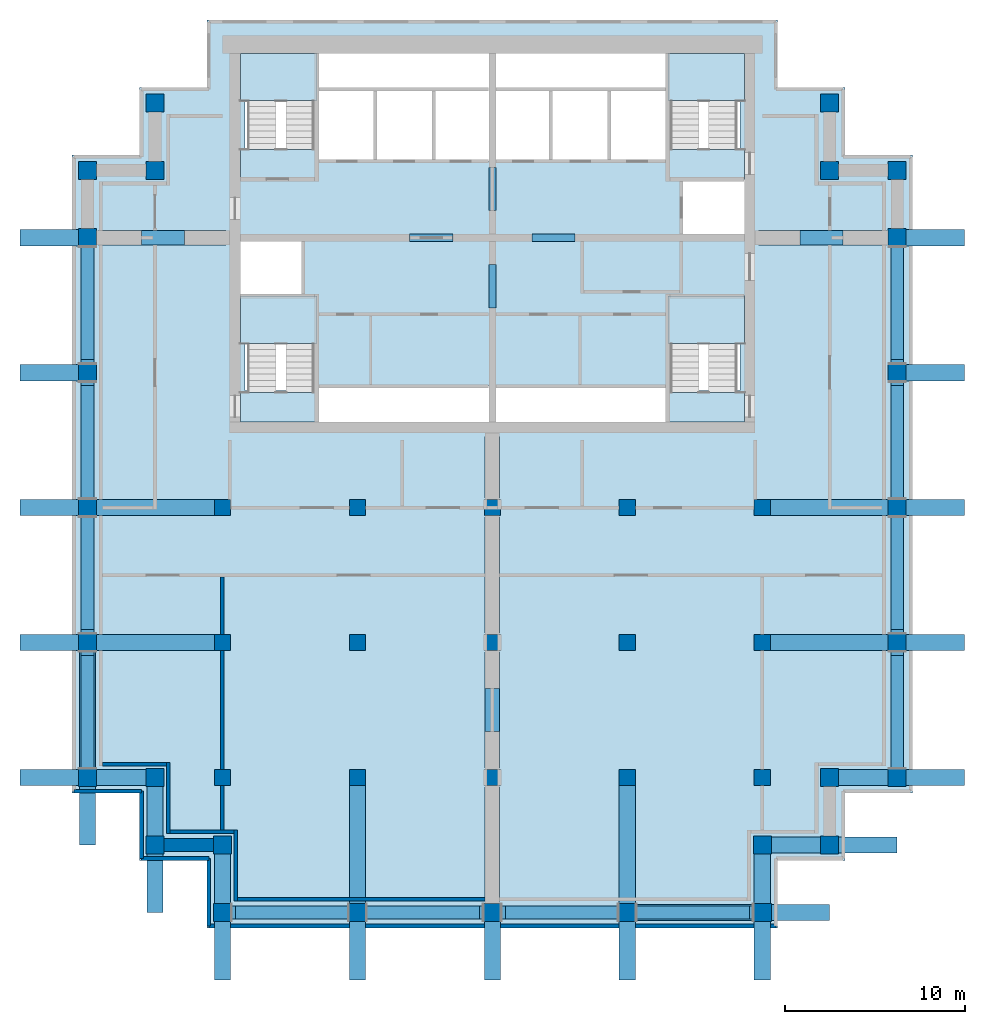
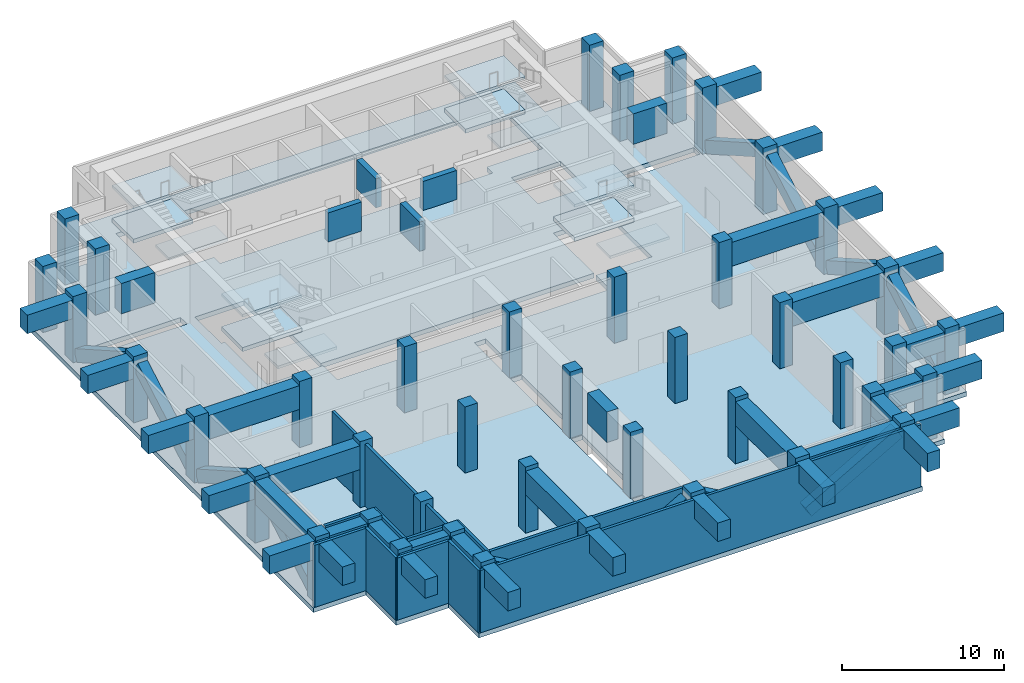
# One storey, part 1 of 6: 42 columns, 40 beams, 13 slabs, 12 members, 12 walls, 4 elements without a shape of their own.
"""IFC4 building model written with IfcOpenShell, lengths in metres."""

from ifc_helpers import new_model, si_unit, direction, frame, frame_2d, origin, origin_2d, place, context, subcontext, project, spatial, polyline, rectangle, outline, extrude, material, layer, layer_set, material_profile, profile_set, type_object, element, aggregate, save


model = new_model("IFC4")

# Units and contexts
model_context = context("Model", 3, precision=1e-05, world=origin(), true_north=direction((0.0, 1.0)))
body_context = subcontext(model_context, "Body", "Model", "MODEL_VIEW")
ifc_project = project(units=[si_unit("LENGTHUNIT", "METRE"), si_unit("AREAUNIT", "SQUARE_METRE"), si_unit("VOLUMEUNIT", "CUBIC_METRE"), si_unit("PLANEANGLEUNIT", "RADIAN"), si_unit("MASSUNIT", "GRAM", prefix="KILO")], contexts=[model_context])

# Site, building, storey
site_placement = place(None, origin())
site = spatial("IfcSite", under=ifc_project, at=site_placement, CompositionType="ELEMENT")
building_placement = place(site_placement, origin())
building = spatial("IfcBuilding", under=site, at=building_placement, Name="Pilkhan Gate Tower", CompositionType="ELEMENT")
storey_placement = place(building_placement, frame((0.0, 0.0, 183.699951171875)))
storey = spatial("IfcBuildingStorey", under=building, at=storey_placement, Name="L47", CompositionType="ELEMENT", Elevation=183.699951171875)

# Columns
ifc_material_1 = material(Name="Concrete C50/60", Category="concrete")
ifc_material_profile_1 = material_profile(ifc_material_1, rectangle(XDim=1.0, YDim=1.0, at=origin_2d()), Name="RC 1000x1000")
ifc_profile_set_1 = profile_set([ifc_material_profile_1], Name="Concrete C50/60")
column_type_1 = type_object("IfcColumnType", Name="Column C100 RC 1000x1000 C50/60", PredefinedType="COLUMN", material=ifc_profile_set_1)
for number, where, z_axis, x_axis, name in (
    (1, (52.5, 52.5, 0.0), (0.0, 0.0, 1.0), (1.0, 0.0, 0.0), "Column 5/D L47"),
    (2, (52.5, 60.0, 0.0), (0.0, 0.0, 1.0), (1.0, 0.0, 0.0), "Column 5/F L47"),
    (3, (52.5, 67.5, 0.0), (0.0, 0.0, 1.0), (1.0, 0.0, 0.0), "Column 5/H L47"),
    (4, (52.5, 75.0, 0.0), (0.0, 0.0, 1.0), (1.0, 0.0, 0.0), "Column 5/K L47"),
    (5, (52.5, 82.5, 0.0), (0.0, 0.0, 1.0), (1.0, 0.0, 0.0), "Column 5/M L47"),
    (6, (52.5, 86.25, 0.0), (0.0, 0.0, 1.0), (1.0, 0.0, 0.0), "Column 5/N L47"),
    (7, (56.25, 48.75, 0.0), (0.0, 0.0, 1.0), (1.0, 0.0, 0.0), "Column 6/C L47"),
    (8, (56.25, 52.5, 0.0), (0.0, 0.0, 1.0), (1.0, 0.0, 0.0), "Column 6/D L47"),
    (9, (56.25, 86.25, 0.0), (0.0, 0.0, 1.0), (1.0, 0.0, 0.0), "Column 6/N L47"),
    (10, (56.25, 90.0, 0.0), (0.0, 0.0, 1.0), (1.0, 0.0, 0.0), "Column 6/P L47"),
    (11, (60.0, 45.0, 0.0), (0.0, 0.0, 1.0), (1.0, 0.0, 0.0), "Column 7/B L47"),
    (12, (60.0, 48.75, 0.0), (0.0, 0.0, 1.0), (1.0, 0.0, 0.0), "Column 7/C L47"),
    (13, (67.5, 45.0, 0.0), (0.0, 0.0, 1.0), (1.0, 0.0, 0.0), "Column 9/B L47"),
    (14, (75.0, 45.0, 0.0), (0.0, 0.0, 1.0), (1.0, 0.0, 0.0), "Column 11/B L47"),
    (15, (82.5, 45.0, 0.0), (0.0, 0.0, 1.0), (1.0, 0.0, 0.0), "Column 13/B L47"),
    (16, (90.0, 45.0, 0.0), (0.0, 0.0, 1.0), (1.0, 0.0, 0.0), "Column 15/B L47"),
    (17, (90.0, 48.75, 0.0), (0.0, 0.0, 1.0), (1.0, 0.0, 0.0), "Column 15/C L47"),
    (18, (93.75, 48.75, 0.0), (0.0, 0.0, 1.0), (1.0, 0.0, 0.0), "Column 16/C L47"),
    (19, (93.75, 52.5, 0.0), (0.0, 0.0, 1.0), (1.0, 0.0, 0.0), "Column 16/D L47"),
    (20, (93.75, 86.25, 0.0), (0.0, 0.0, 1.0), (1.0, 0.0, 0.0), "Column 16/N L47"),
    (21, (93.75, 90.0, 0.0), (0.0, 0.0, 1.0), (1.0, 0.0, 0.0), "Column 16/P L47"),
    (22, (97.5, 52.5, 0.0), (0.0, 0.0, 1.0), (1.0, 0.0, 0.0), "Column 17/D L47"),
    (23, (97.5, 60.0, 0.0), (0.0, 0.0, 1.0), (1.0, 0.0, 0.0), "Column 17/F L47"),
    (24, (97.5, 67.5, 0.0), (0.0, 0.0, 1.0), (1.0, 0.0, 0.0), "Column 17/H L47"),
    (25, (97.5, 75.0, 0.0), (0.0, 0.0, 1.0), (1.0, 0.0, 0.0), "Column 17/K L47"),
    (26, (97.5, 82.5, 0.0), (0.0, 0.0, 1.0), (1.0, 0.0, 0.0), "Column 17/M L47"),
    (27, (97.5, 86.25, 0.0), (0.0, 0.0, 1.0), (1.0, 0.0, 0.0), "Column 17/N L47"),
):
    element("IfcColumn", number, at=place(storey_placement, frame(where, z_axis=z_axis, x_axis=x_axis)), inside=storey, type_object=column_type_1, Name=name, PredefinedType="COLUMN", context=body_context, shape_type="SweptSolid", body=[
        extrude(rectangle(XDim=1.0, YDim=1.0, at=origin_2d()), origin(), (0.0, 0.0, 1.0), 5.0),
    ])
ifc_material_profile_2 = material_profile(ifc_material_1, rectangle(XDim=0.89990234375, YDim=0.89990234375, at=origin_2d()), Name="RC 900x900")
ifc_profile_set_2 = profile_set([ifc_material_profile_2], Name="Concrete C50/60")
column_type_2 = type_object("IfcColumnType", Name="Column C90 RC 900x900 C50/60", PredefinedType="COLUMN", material=ifc_profile_set_2)
for number, where, z_axis, x_axis, name in (
    (28, (60.0, 52.5, 0.0), (0.0, 0.0, 1.0), (1.0, 0.0, 0.0), "Column 7/D L47"),
    (29, (60.0, 60.0, 0.0), (0.0, 0.0, 1.0), (1.0, 0.0, 0.0), "Column 7/F L47"),
    (30, (60.0, 67.5, 0.0), (0.0, 0.0, 1.0), (1.0, 0.0, 0.0), "Column 7/H L47"),
    (31, (67.5, 52.5, 0.0), (0.0, 0.0, 1.0), (1.0, 0.0, 0.0), "Column 9/D L47"),
    (32, (67.5, 60.0, 0.0), (0.0, 0.0, 1.0), (1.0, 0.0, 0.0), "Column 9/F L47"),
    (33, (67.5, 67.5, 0.0), (0.0, 0.0, 1.0), (1.0, 0.0, 0.0), "Column 9/H L47"),
    (34, (75.0, 52.5, 0.0), (0.0, 0.0, 1.0), (1.0, 0.0, 0.0), "Column 11/D L47"),
    (35, (75.0, 60.0, 0.0), (0.0, 0.0, 1.0), (1.0, 0.0, 0.0), "Column 11/F L47"),
    (36, (75.0, 67.5, 0.0), (0.0, 0.0, 1.0), (1.0, 0.0, 0.0), "Column 11/H L47"),
    (37, (82.5, 52.5, 0.0), (0.0, 0.0, 1.0), (1.0, 0.0, 0.0), "Column 13/D L47"),
    (38, (82.5, 60.0, 0.0), (0.0, 0.0, 1.0), (1.0, 0.0, 0.0), "Column 13/F L47"),
    (39, (82.5, 67.5, 0.0), (0.0, 0.0, 1.0), (1.0, 0.0, 0.0), "Column 13/H L47"),
    (40, (90.0, 52.5, 0.0), (0.0, 0.0, 1.0), (1.0, 0.0, 0.0), "Column 15/D L47"),
    (41, (90.0, 60.0, 0.0), (0.0, 0.0, 1.0), (1.0, 0.0, 0.0), "Column 15/F L47"),
    (42, (90.0, 67.5, 0.0), (0.0, 0.0, 1.0), (1.0, 0.0, 0.0), "Column 15/H L47"),
):
    element("IfcColumn", number, at=place(storey_placement, frame(where, z_axis=z_axis, x_axis=x_axis)), inside=storey, type_object=column_type_2, Name=name, PredefinedType="COLUMN", context=body_context, shape_type="SweptSolid", body=[
        extrude(rectangle(XDim=0.89990234375, YDim=0.89990234375, at=origin_2d()), origin(), (0.0, 0.0, 1.0), 5.0),
    ])

# Members
ifc_material_2 = material(Name="Concrete C60/75", Category="concrete")
ifc_material_profile_3 = material_profile(ifc_material_2, rectangle(XDim=0.699951171875, YDim=0.89990234375, at=origin_2d()), Name="RC 700x900")
ifc_profile_set_3 = profile_set([ifc_material_profile_3], Name="Concrete C60/75")
member_type = type_object("IfcMemberType", Name="Belt diagonal BD1 RC 700x900 C60/75", PredefinedType="BRACE", material=ifc_profile_set_3)
for number, where, z_axis, x_axis, name in (
    (43, (83.0, 45.0, 0.5), (0.869067538111, 0.0, 0.49469345478), (0.0, 1.0, 0.0), "Belt diagonal 2 L47"),
    (44, (82.0, 45.0, 0.5), (-0.869067538111, 0.0, 0.49469345478), (0.0, -1.0, 0.0), "Belt diagonal 3 L47"),
    (45, (68.0, 45.0, 0.5), (0.869067538111, 0.0, 0.49469345478), (0.0, 1.0, 0.0), "Belt diagonal 4 L47"),
    (46, (67.0, 45.0, 0.5), (-0.869067538111, 0.0, 0.49469345478), (0.0, -1.0, 0.0), "Belt diagonal 5 L47"),
    (47, (52.5, 53.0, 0.5), (0.0, 0.869067538111, 0.49469345478), (-1.0, 0.0, 0.0), "Belt diagonal 7 L47"),
    (48, (52.5, 67.0, 0.5), (0.0, -0.869067538111, 0.49469345478), (1.0, 0.0, 0.0), "Belt diagonal 8 L47"),
    (49, (52.5, 68.0, 0.5), (0.0, 0.869067538111, 0.49469345478), (-1.0, 0.0, 0.0), "Belt diagonal 9 L47"),
    (50, (52.5, 82.0, 0.5), (0.0, -0.869067538111, 0.49469345478), (1.0, 0.0, 0.0), "Belt diagonal 10 L47"),
    (51, (97.5, 82.0, 0.5), (0.0, -0.869067538111, 0.49469345478), (1.0, 0.0, 0.0), "Belt diagonal 17 L47"),
    (52, (97.5, 68.0, 0.5), (0.0, 0.869067538111, 0.49469345478), (-1.0, 0.0, 0.0), "Belt diagonal 18 L47"),
    (53, (97.5, 67.0, 0.5), (0.0, -0.869067538111, 0.49469345478), (1.0, 0.0, 0.0), "Belt diagonal 19 L47"),
    (54, (97.5, 53.0, 0.5), (0.0, 0.869067538111, 0.49469345478), (-1.0, 0.0, 0.0), "Belt diagonal 20 L47"),
):
    element("IfcMember", number, at=place(storey_placement, frame(where, z_axis=z_axis, x_axis=x_axis)), inside=storey, type_object=member_type, Name=name, PredefinedType="BRACE", context=body_context, shape_type="SweptSolid", body=[
        extrude(rectangle(XDim=0.699951171875, YDim=0.89990234375, at=origin_2d()), origin(), (0.0, 0.0, 1.0), 7.479248046875),
    ])

# Beams
ifc_material_3 = material(Name="Concrete C70/85", Category="concrete")
ifc_material_profile_4 = material_profile(ifc_material_3, rectangle(XDim=0.89990234375, YDim=1.39990234375, at=origin_2d()), Name="RC 900x1400")
ifc_profile_set_4 = profile_set([ifc_material_profile_4], Name="Concrete C70/85")
beam_type_1 = type_object("IfcBeamType", Name="Cantilever transfer girder back-span TG2B14 RC 900x1400 C70/85", PredefinedType="BEAM", material=ifc_profile_set_4)
for number, where, z_axis, x_axis, name in (
    (55, (52.949951171875, 52.5, 4.0), (1.0, 0.0, 0.0), (0.0, 1.0, 0.0), "Cantilever transfer girder back-span 1 L47"),
    (56, (56.25, 49.199951171875, 4.0), (0.0, 1.0, 0.0), (-1.0, 0.0, 0.0), "Cantilever transfer girder back-span 7 L47"),
    (57, (60.0, 45.449951171875, 4.0), (0.0, 1.0, 0.0), (-1.0, 0.0, 0.0), "Cantilever transfer girder back-span 8 L47"),
    (58, (90.0, 45.449951171875, 4.0), (0.0, 1.0, 0.0), (-1.0, 0.0, 0.0), "Cantilever transfer girder back-span 12 L47"),
    (59, (93.300048828125, 48.75, 4.0), (-1.0, 0.0, 0.0), (0.0, -1.0, 0.0), "Cantilever transfer girder back-span 14 L47"),
    (60, (97.050048828125, 52.5, 4.0), (-1.0, 0.0, 0.0), (0.0, -1.0, 0.0), "Cantilever transfer girder back-span 15 L47"),
):
    element("IfcBeam", number, at=place(storey_placement, frame(where, z_axis=z_axis, x_axis=x_axis)), inside=storey, type_object=beam_type_1, Name=name, PredefinedType="BEAM", context=body_context, shape_type="SweptSolid", body=[
        extrude(rectangle(XDim=0.89990234375, YDim=1.39990234375, at=origin_2d()), origin(), (0.0, 0.0, 1.0), 2.85009765625),
    ])
ifc_material_profile_5 = material_profile(ifc_material_3, rectangle(XDim=0.89990234375, YDim=1.800048828125, at=origin_2d()), Name="RC 900x1800")
ifc_profile_set_5 = profile_set([ifc_material_profile_5], Name="Concrete C70/85")
beam_type_2 = type_object("IfcBeamType", Name="Cantilever transfer girder back-span TG2B18 RC 900x1800 C70/85", PredefinedType="BEAM", material=ifc_profile_set_5)
for number, where, z_axis, x_axis, name in (
    (61, (52.949951171875, 60.0, 3.800048828125), (1.0, 0.0, 0.0), (0.0, 1.0, 0.0), "Cantilever transfer girder back-span 2 L47"),
    (62, (52.949951171875, 67.5, 3.800048828125), (1.0, 0.0, 0.0), (0.0, 1.0, 0.0), "Cantilever transfer girder back-span 3 L47"),
):
    element("IfcBeam", number, at=place(storey_placement, frame(where, z_axis=z_axis, x_axis=x_axis)), inside=storey, type_object=beam_type_2, Name=name, PredefinedType="BEAM", context=body_context, shape_type="SweptSolid", body=[
        extrude(rectangle(XDim=0.89990234375, YDim=1.800048828125, at=origin_2d()), origin(), (0.0, 0.0, 1.0), 6.650146484375),
    ])
beam_1_placement = place(storey_placement, frame((52.5, 52.949951171875, 3.800048828125), z_axis=(0.0, 1.0, 0.0), x_axis=(-1.0, 0.0, 0.0)))
element("IfcBeam", 63, at=beam_1_placement, inside=storey, type_object=beam_type_2, Name="Cantilever transfer girder back-span 6 L47", PredefinedType="BEAM", context=body_context, shape_type="SweptSolid", body=[
    extrude(rectangle(XDim=0.89990234375, YDim=1.800048828125, at=origin_2d()), origin(), (0.0, 0.0, 1.0), 6.60009765625),
])
for number, where, z_axis, x_axis, name in (
    (64, (67.5, 45.449951171875, 3.800048828125), (0.0, 1.0, 0.0), (-1.0, 0.0, 0.0), "Cantilever transfer girder back-span 9 L47"),
    (65, (82.5, 45.449951171875, 3.800048828125), (0.0, 1.0, 0.0), (-1.0, 0.0, 0.0), "Cantilever transfer girder back-span 11 L47"),
):
    element("IfcBeam", number, at=place(storey_placement, frame(where, z_axis=z_axis, x_axis=x_axis)), inside=storey, type_object=beam_type_2, Name=name, PredefinedType="BEAM", context=body_context, shape_type="SweptSolid", body=[
        extrude(rectangle(XDim=0.89990234375, YDim=1.800048828125, at=origin_2d()), origin(), (0.0, 0.0, 1.0), 6.650146484375),
    ])
beam_2_placement = place(storey_placement, frame((89.550048828125, 45.0, 3.800048828125), z_axis=(-1.0, 0.0, 0.0), x_axis=(0.0, -1.0, 0.0)))
element("IfcBeam", 66, at=beam_2_placement, inside=storey, type_object=beam_type_2, Name="Cantilever transfer girder back-span 13 L47", PredefinedType="BEAM", context=body_context, shape_type="SweptSolid", body=[
    extrude(rectangle(XDim=0.89990234375, YDim=1.800048828125, at=origin_2d()), origin(), (0.0, 0.0, 1.0), 6.60009765625),
])
for number, where, z_axis, x_axis, name in (
    (67, (97.050048828125, 60.0, 3.800048828125), (-1.0, 0.0, 0.0), (0.0, -1.0, 0.0), "Cantilever transfer girder back-span 16 L47"),
    (68, (97.050048828125, 67.5, 3.800048828125), (-1.0, 0.0, 0.0), (0.0, -1.0, 0.0), "Cantilever transfer girder back-span 17 L47"),
):
    element("IfcBeam", number, at=place(storey_placement, frame(where, z_axis=z_axis, x_axis=x_axis)), inside=storey, type_object=beam_type_2, Name=name, PredefinedType="BEAM", context=body_context, shape_type="SweptSolid", body=[
        extrude(rectangle(XDim=0.89990234375, YDim=1.800048828125, at=origin_2d()), origin(), (0.0, 0.0, 1.0), 6.650146484375),
    ])
ifc_material_profile_6 = material_profile(ifc_material_3, rectangle(XDim=0.89990234375, YDim=1.39990234375, at=origin_2d()), Name="RC 900x1400")
ifc_profile_set_6 = profile_set([ifc_material_profile_6], Name="Concrete C70/85")
beam_type_3 = type_object("IfcBeamType", Name="Cantilever transfer girder tip TG2T14 RC 900x1400 C70/85", PredefinedType="BEAM", material=ifc_profile_set_6)
for number, where, z_axis, x_axis, name in (
    (69, (48.75, 52.5, 4.0), (1.0, 0.0, 0.0), (0.0, 1.0, 0.0), "Cantilever transfer girder 1 L47"),
    (70, (48.75, 60.0, 4.0), (1.0, 0.0, 0.0), (0.0, 1.0, 0.0), "Cantilever transfer girder 2 L47"),
    (71, (48.75, 67.5, 4.0), (1.0, 0.0, 0.0), (0.0, 1.0, 0.0), "Cantilever transfer girder 3 L47"),
    (72, (48.75, 75.0, 4.0), (1.0, 0.0, 0.0), (0.0, 1.0, 0.0), "Cantilever transfer girder 4 L47"),
    (73, (48.75, 82.5, 4.0), (1.0, 0.0, 0.0), (0.0, 1.0, 0.0), "Cantilever transfer girder 5 L47"),
    (74, (52.5, 48.75, 4.0), (0.0, 1.0, 0.0), (-1.0, 0.0, 0.0), "Cantilever transfer girder 6 L47"),
    (75, (56.25, 45.0, 4.0), (0.0, 1.0, 0.0), (-1.0, 0.0, 0.0), "Cantilever transfer girder 7 L47"),
    (76, (60.0, 41.25, 4.0), (0.0, 1.0, 0.0), (-1.0, 0.0, 0.0), "Cantilever transfer girder 8 L47"),
    (77, (67.5, 41.25, 4.0), (0.0, 1.0, 0.0), (-1.0, 0.0, 0.0), "Cantilever transfer girder 9 L47"),
    (78, (75.0, 41.25, 4.0), (0.0, 1.0, 0.0), (-1.0, 0.0, 0.0), "Cantilever transfer girder 10 L47"),
    (79, (82.5, 41.25, 4.0), (0.0, 1.0, 0.0), (-1.0, 0.0, 0.0), "Cantilever transfer girder 11 L47"),
    (80, (90.0, 41.25, 4.0), (0.0, 1.0, 0.0), (-1.0, 0.0, 0.0), "Cantilever transfer girder 12 L47"),
    (81, (93.75, 45.0, 4.0), (-1.0, 0.0, 0.0), (0.0, -1.0, 0.0), "Cantilever transfer girder 13 L47"),
    (82, (97.5, 48.75, 4.0), (-1.0, 0.0, 0.0), (0.0, -1.0, 0.0), "Cantilever transfer girder 14 L47"),
    (83, (101.25, 52.5, 4.0), (-1.0, 0.0, 0.0), (0.0, -1.0, 0.0), "Cantilever transfer girder 15 L47"),
    (84, (101.25, 60.0, 4.0), (-1.0, 0.0, 0.0), (0.0, -1.0, 0.0), "Cantilever transfer girder 16 L47"),
    (85, (101.25, 67.5, 4.0), (-1.0, 0.0, 0.0), (0.0, -1.0, 0.0), "Cantilever transfer girder 17 L47"),
    (86, (101.25, 75.0, 4.0), (-1.0, 0.0, 0.0), (0.0, -1.0, 0.0), "Cantilever transfer girder 18 L47"),
    (87, (101.25, 82.5, 4.0), (-1.0, 0.0, 0.0), (0.0, -1.0, 0.0), "Cantilever transfer girder 19 L47"),
):
    element("IfcBeam", number, at=place(storey_placement, frame(where, z_axis=z_axis, x_axis=x_axis)), inside=storey, type_object=beam_type_3, Name=name, PredefinedType="BEAM", context=body_context, shape_type="SweptSolid", body=[
        extrude(rectangle(XDim=0.89990234375, YDim=1.39990234375, at=origin_2d()), origin(), (0.0, 0.0, 1.0), 3.25),
    ])
ifc_material_profile_7 = material_profile(ifc_material_1, rectangle(XDim=0.39990234375, YDim=2.199951171875, at=origin_2d()), Name="RC 400x2200")
ifc_profile_set_7 = profile_set([ifc_material_profile_7], Name="Concrete C50/60")
beam_type_4 = type_object("IfcBeamType", Name="Coupling beam CB220-4 RC 400x2200 C50/60", PredefinedType="LINTEL", material=ifc_profile_set_7)
for number, where, z_axis, x_axis, name in (
    (88, (70.39990234375, 82.5, 3.60009765625), (1.0, 0.0, 0.0), (0.0, 1.0, 0.0), "Coupling beam 1 L47"),
    (89, (77.199951171875, 82.5, 3.60009765625), (1.0, 0.0, 0.0), (0.0, 1.0, 0.0), "Coupling beam 2 L47"),
):
    element("IfcBeam", number, at=place(storey_placement, frame(where, z_axis=z_axis, x_axis=x_axis)), inside=storey, type_object=beam_type_4, Name=name, PredefinedType="LINTEL", context=body_context, shape_type="SweptSolid", body=[
        extrude(rectangle(XDim=0.39990234375, YDim=2.199951171875, at=origin_2d()), origin(), (0.0, 0.0, 1.0), 2.400146484375),
    ])
for number, where, z_axis, x_axis, name in (
    (90, (75.0, 78.60009765625, 3.60009765625), (0.0, 1.0, 0.0), (-1.0, 0.0, 0.0), "Coupling beam 3 L47"),
    (91, (75.0, 84.0, 3.60009765625), (0.0, 1.0, 0.0), (-1.0, 0.0, 0.0), "Coupling beam 4 L47"),
):
    element("IfcBeam", number, at=place(storey_placement, frame(where, z_axis=z_axis, x_axis=x_axis)), inside=storey, type_object=beam_type_4, Name=name, PredefinedType="LINTEL", context=body_context, shape_type="SweptSolid", body=[
        extrude(rectangle(XDim=0.39990234375, YDim=2.199951171875, at=origin_2d()), origin(), (0.0, 0.0, 1.0), 2.39990234375),
    ])
ifc_material_profile_8 = material_profile(ifc_material_2, rectangle(XDim=0.800048828125, YDim=2.300048828125, at=origin_2d()), Name="RC 800x2300")
ifc_profile_set_8 = profile_set([ifc_material_profile_8], Name="Concrete C60/75")
beam_type_5 = type_object("IfcBeamType", Name="Coupling beam CB230 RC 800x2300 C60/75", PredefinedType="LINTEL", material=ifc_profile_set_8)
for number, where, z_axis, x_axis, name in (
    (92, (92.10009765625, 82.5, 3.550048828125), (1.0, 0.0, 0.0), (0.0, 1.0, 0.0), "Outrigger coupling beam L47"),
    (93, (55.5, 82.5, 3.550048828125), (1.0, 0.0, 0.0), (0.0, 1.0, 0.0), "Outrigger coupling beam L47"),
    (94, (75.0, 55.050048828125, 3.550048828125), (0.0, 1.0, 0.0), (-1.0, 0.0, 0.0), "Outrigger coupling beam L47"),
):
    element("IfcBeam", number, at=place(storey_placement, frame(where, z_axis=z_axis, x_axis=x_axis)), inside=storey, type_object=beam_type_5, Name=name, PredefinedType="LINTEL", context=body_context, shape_type="SweptSolid", body=[
        extrude(rectangle(XDim=0.800048828125, YDim=2.300048828125, at=origin_2d()), origin(), (0.0, 0.0, 1.0), 2.39990234375),
    ])

# Slab
ifc_material_4 = material(Name="Concrete C40/50", Category="concrete")
ifc_layer_1 = layer(ifc_material_4, 0.35009765625)
ifc_layer_set_1 = layer_set([ifc_layer_1], Name="Flat plate slab FP350")
slab_type_1 = type_object("IfcSlabType", Name="Flat plate slab FP350", PredefinedType="FLOOR", material=ifc_layer_set_1)
slab_1_placement = place(storey_placement, frame((0.0, 0.0, -0.349853515625)))
element("IfcSlab", 95, at=slab_1_placement, inside=storey, type_object=slab_type_1, Name="Floor slab L47", PredefinedType="FLOOR", context=body_context, shape_type="SweptSolid", body=[
    extrude(outline(polyline([(94.60009765625, 47.89990234375), (90.85009765625, 47.89990234375), (90.85009765625, 44.14990234375), (59.14990234375, 44.14990234375), (59.14990234375, 47.89990234375), (55.39990234375, 47.89990234375), (55.39990234375, 51.64990234375), (51.64990234375, 51.64990234375), (51.64990234375, 87.10009765625), (55.39990234375, 87.10009765625), (55.39990234375, 90.85009765625), (59.14990234375, 90.85009765625), (59.14990234375, 94.60009765625), (90.85009765625, 94.60009765625), (90.85009765625, 90.85009765625), (94.60009765625, 90.85009765625), (94.60009765625, 87.10009765625), (98.35009765625, 87.10009765625), (98.35009765625, 51.64990234375), (94.60009765625, 51.64990234375), (94.60009765625, 47.89990234375)]), holes=[polyline([(96.89990234375, 82.89990234375), (89.800048828125, 82.89990234375), (89.800048828125, 82.10009765625), (96.89990234375, 82.10009765625), (96.89990234375, 82.89990234375)]), polyline([(75.0, 72.25), (84.75, 72.25), (84.75, 74.0), (88.75, 74.0), (88.75, 79.25), (84.75, 79.25), (84.75, 74.25), (75.0, 74.25), (65.25, 74.25), (65.25, 79.25), (64.5, 79.25), (64.5, 82.5), (61.25, 82.5), (61.0, 82.5), (61.0, 79.25), (61.25, 79.25), (61.25, 74.0), (65.25, 74.0), (65.25, 72.25), (75.0, 72.25)]), polyline([(68.5, 86.75), (71.75, 86.75), (75.0, 86.75), (78.25, 86.75), (81.5, 86.75), (84.75, 86.75), (84.75, 87.5), (88.75, 87.5), (88.75, 92.75), (84.75, 92.75), (75.0, 92.75), (65.25, 92.75), (61.25, 92.75), (61.25, 87.5), (65.25, 87.5), (65.25, 86.75), (68.5, 86.75)]), polyline([(85.5, 85.75), (85.5, 82.5), (88.75, 82.5), (89.0, 82.5), (89.0, 85.75), (88.75, 85.75), (85.5, 85.75)]), polyline([(74.60009765625, 51.97509765625), (74.60009765625, 45.60009765625), (75.39990234375, 45.60009765625), (75.39990234375, 51.97509765625), (74.60009765625, 51.97509765625)]), polyline([(74.60009765625, 59.47509765625), (74.60009765625, 53.02490234375), (75.39990234375, 53.02490234375), (75.39990234375, 59.47509765625), (74.60009765625, 59.47509765625)]), polyline([(74.60009765625, 66.97509765625), (74.60009765625, 60.52490234375), (75.39990234375, 60.52490234375), (75.39990234375, 66.97509765625), (74.60009765625, 66.97509765625)]), polyline([(74.60009765625, 71.449951171875), (74.60009765625, 68.02490234375), (75.39990234375, 68.02490234375), (75.39990234375, 71.449951171875), (74.60009765625, 71.449951171875)]), polyline([(53.10009765625, 82.89990234375), (53.10009765625, 82.10009765625), (60.199951171875, 82.10009765625), (60.199951171875, 82.89990234375), (53.10009765625, 82.89990234375)])]), origin(), (0.0, 0.0, 1.0), 0.349853515625),
])

# Stair, slabs
ifc_material_5 = material(Name="Concrete C40/50 precast", Category="concrete")
stair_type_1 = type_object("IfcStairType", Name="Stair ST1 139x340", PredefinedType="HALF_TURN_STAIR", material=ifc_material_5)
stair_1_placement = place(storey_placement, origin())
stair_1 = element("IfcStair", 96, at=stair_1_placement, inside=storey, type_object=stair_type_1, Name="Stair ST1 L47", PredefinedType="HALF_TURN_STAIR")
ifc_layer_2 = layer(ifc_material_4, 0.199951171875)
ifc_layer_set_2 = layer_set([ifc_layer_2], Name="Stair landing SL200")
slab_type_2 = type_object("IfcSlabType", Name="Stair landing SL200", PredefinedType="LANDING", material=ifc_layer_set_2)
slab_2_placement = place(storey_placement, frame((0.0, 0.0, 0.949951171875)))
slab_2 = element("IfcSlab", 97, at=slab_2_placement, type_object=slab_type_2, Name="ST1 landing 1", PredefinedType="LANDING", context=body_context, shape_type="SweptSolid", body=[
    extrude(outline(polyline([(89.0, 76.6201171875), (89.0, 79.25), (84.75, 79.25), (84.75, 76.6201171875), (89.0, 76.6201171875)])), origin(), (0.0, 0.0, 1.0), 0.300048828125),
])
slab_3_placement = place(storey_placement, frame((0.0, 0.0, 2.300048828125)))
slab_3 = element("IfcSlab", 98, at=slab_3_placement, type_object=slab_type_2, Name="ST1 landing 2", PredefinedType="LANDING", context=body_context, shape_type="SweptSolid", body=[
    extrude(outline(polyline([(89.0, 72.25), (89.0, 73.89990234375), (84.75, 73.89990234375), (84.75, 72.25), (89.0, 72.25)])), origin(), (0.0, 0.0, 1.0), 0.199951171875),
])
slab_4_placement = place(storey_placement, frame((0.0, 0.0, 3.550048828125)))
slab_4 = element("IfcSlab", 99, at=slab_4_placement, type_object=slab_type_2, Name="ST1 landing 3", PredefinedType="LANDING", context=body_context, shape_type="SweptSolid", body=[
    extrude(outline(polyline([(89.0, 76.6201171875), (89.0, 79.25), (84.75, 79.25), (84.75, 76.6201171875), (89.0, 76.6201171875)])), origin(), (0.0, 0.0, 1.0), 0.199951171875),
])
aggregate(stair_1, [slab_2, slab_3, slab_4])

stair_type_2 = type_object("IfcStairType", Name="Stair ST2 139x340", PredefinedType="HALF_TURN_STAIR", material=ifc_material_5)
stair_2_placement = place(storey_placement, origin())
stair_2 = element("IfcStair", 100, at=stair_2_placement, inside=storey, type_object=stair_type_2, Name="Stair ST2 L47", PredefinedType="HALF_TURN_STAIR")
slab_5_placement = place(storey_placement, frame((0.0, 0.0, 0.949951171875)))
slab_5 = element("IfcSlab", 101, at=slab_5_placement, type_object=slab_type_2, Name="ST2 landing 1", PredefinedType="LANDING", context=body_context, shape_type="SweptSolid", body=[
    extrude(outline(polyline([(65.25, 76.6201171875), (65.25, 79.25), (61.0, 79.25), (61.0, 76.6201171875), (65.25, 76.6201171875)])), origin(), (0.0, 0.0, 1.0), 0.300048828125),
])
slab_6_placement = place(storey_placement, frame((0.0, 0.0, 2.300048828125)))
slab_6 = element("IfcSlab", 102, at=slab_6_placement, type_object=slab_type_2, Name="ST2 landing 2", PredefinedType="LANDING", context=body_context, shape_type="SweptSolid", body=[
    extrude(outline(polyline([(65.25, 72.25), (65.25, 73.89990234375), (61.0, 73.89990234375), (61.0, 72.25), (65.25, 72.25)])), origin(), (0.0, 0.0, 1.0), 0.199951171875),
])
slab_7_placement = place(storey_placement, frame((0.0, 0.0, 3.550048828125)))
slab_7 = element("IfcSlab", 103, at=slab_7_placement, type_object=slab_type_2, Name="ST2 landing 3", PredefinedType="LANDING", context=body_context, shape_type="SweptSolid", body=[
    extrude(outline(polyline([(65.25, 76.6201171875), (65.25, 79.25), (61.0, 79.25), (61.0, 76.6201171875), (65.25, 76.6201171875)])), origin(), (0.0, 0.0, 1.0), 0.199951171875),
])
aggregate(stair_2, [slab_5, slab_6, slab_7])

stair_type_3 = type_object("IfcStairType", Name="Stair ST3 139x340", PredefinedType="HALF_TURN_STAIR", material=ifc_material_5)
stair_3_placement = place(storey_placement, origin())
stair_3 = element("IfcStair", 104, at=stair_3_placement, inside=storey, type_object=stair_type_3, Name="Stair ST3 L47", PredefinedType="HALF_TURN_STAIR")
slab_8_placement = place(storey_placement, frame((0.0, 0.0, 0.949951171875)))
slab_8 = element("IfcSlab", 105, at=slab_8_placement, type_object=slab_type_2, Name="ST3 landing 1", PredefinedType="LANDING", context=body_context, shape_type="SweptSolid", body=[
    extrude(outline(polyline([(65.25, 90.1201171875), (65.25, 92.75), (61.0, 92.75), (61.0, 90.1201171875), (65.25, 90.1201171875)])), origin(), (0.0, 0.0, 1.0), 0.300048828125),
])
slab_9_placement = place(storey_placement, frame((0.0, 0.0, 2.300048828125)))
slab_9 = element("IfcSlab", 106, at=slab_9_placement, type_object=slab_type_2, Name="ST3 landing 2", PredefinedType="LANDING", context=body_context, shape_type="SweptSolid", body=[
    extrude(outline(polyline([(65.25, 85.75), (65.25, 87.39990234375), (61.0, 87.39990234375), (61.0, 85.75), (65.25, 85.75)])), origin(), (0.0, 0.0, 1.0), 0.199951171875),
])
slab_10_placement = place(storey_placement, frame((0.0, 0.0, 3.550048828125)))
slab_10 = element("IfcSlab", 107, at=slab_10_placement, type_object=slab_type_2, Name="ST3 landing 3", PredefinedType="LANDING", context=body_context, shape_type="SweptSolid", body=[
    extrude(outline(polyline([(65.25, 90.1201171875), (65.25, 92.75), (61.0, 92.75), (61.0, 90.1201171875), (65.25, 90.1201171875)])), origin(), (0.0, 0.0, 1.0), 0.199951171875),
])
aggregate(stair_3, [slab_8, slab_9, slab_10])

stair_type_4 = type_object("IfcStairType", Name="Stair ST4 139x340", PredefinedType="HALF_TURN_STAIR", material=ifc_material_5)
stair_4_placement = place(storey_placement, origin())
stair_4 = element("IfcStair", 108, at=stair_4_placement, inside=storey, type_object=stair_type_4, Name="Stair ST4 L47", PredefinedType="HALF_TURN_STAIR")
slab_11_placement = place(storey_placement, frame((0.0, 0.0, 0.949951171875)))
slab_11 = element("IfcSlab", 109, at=slab_11_placement, type_object=slab_type_2, Name="ST4 landing 1", PredefinedType="LANDING", context=body_context, shape_type="SweptSolid", body=[
    extrude(outline(polyline([(89.0, 90.1201171875), (89.0, 92.75), (84.75, 92.75), (84.75, 90.1201171875), (89.0, 90.1201171875)])), origin(), (0.0, 0.0, 1.0), 0.300048828125),
])
slab_12_placement = place(storey_placement, frame((0.0, 0.0, 2.300048828125)))
slab_12 = element("IfcSlab", 110, at=slab_12_placement, type_object=slab_type_2, Name="ST4 landing 2", PredefinedType="LANDING", context=body_context, shape_type="SweptSolid", body=[
    extrude(outline(polyline([(89.0, 85.75), (89.0, 87.39990234375), (84.75, 87.39990234375), (84.75, 85.75), (89.0, 85.75)])), origin(), (0.0, 0.0, 1.0), 0.199951171875),
])
slab_13_placement = place(storey_placement, frame((0.0, 0.0, 3.550048828125)))
slab_13 = element("IfcSlab", 111, at=slab_13_placement, type_object=slab_type_2, Name="ST4 landing 3", PredefinedType="LANDING", context=body_context, shape_type="SweptSolid", body=[
    extrude(outline(polyline([(89.0, 90.1201171875), (89.0, 92.75), (84.75, 92.75), (84.75, 90.1201171875), (89.0, 90.1201171875)])), origin(), (0.0, 0.0, 1.0), 0.199951171875),
])
aggregate(stair_4, [slab_11, slab_12, slab_13])

# Walls
ifc_layer_3 = layer(ifc_material_2, 0.699951171875)
ifc_layer_set_3 = layer_set([ifc_layer_3], Name="Belt wall BW700 C60/75")
wall_type_1 = type_object("IfcWallType", Name="Belt wall BW700 C60/75", PredefinedType="SHEAR", material=ifc_layer_set_3)
wall_1_placement = place(storey_placement, frame((59.5, 48.75, 0.0), z_axis=(0.0, 0.0, 1.0), x_axis=(-1.0, 0.0, 0.0)))
element("IfcWall", 112, at=wall_1_placement, inside=storey, type_object=wall_type_1, Name="Belt wall 6 L47", PredefinedType="SHEAR", context=body_context, shape_type="SweptSolid", body=[
    extrude(rectangle(XDim=2.75, YDim=0.699951171875, at=frame_2d((1.375, 0.0))), origin(), (0.0, 0.0, 1.0), 4.699951171875),
])
ifc_material_6 = material(Name="Dense blockwork", Category="masonry")
ifc_layer_4 = layer(ifc_material_6, 0.199951171875)
ifc_layer_set_4 = layer_set([ifc_layer_4], Name="Lobby wall LW200")
wall_type_2 = type_object("IfcWallType", Name="Lobby wall LW200", PredefinedType="PARTITIONING", material=ifc_layer_set_4)
wall_2_placement = place(storey_placement, frame((60.8349609375, 45.735107421875, 0.0), z_axis=(0.0, 0.0, 1.0), x_axis=(1.0, 0.0, 0.0)))
element("IfcWall", 113, at=wall_2_placement, inside=storey, type_object=wall_type_2, Name="Partition L47", PredefinedType="PARTITIONING", context=body_context, shape_type="SweptSolid", body=[
    extrude(rectangle(XDim=13.755126953125, YDim=0.199951171875, at=frame_2d((6.87744140625, 0.0))), origin(), (0.0, 0.0, 1.0), 4.699951171875),
])
for number, where, z_axis, x_axis, name in (
    (114, (57.0849609375, 49.485107421875, 0.0), (0.0, 0.0, 1.0), (1.0, 0.0, 0.0), "Partition L47"),
    (115, (53.3349609375, 53.235107421875, 0.0), (0.0, 0.0, 1.0), (1.0, 0.0, 0.0), "Partition L47"),
):
    element("IfcWall", number, at=place(storey_placement, frame(where, z_axis=z_axis, x_axis=x_axis)), inside=storey, type_object=wall_type_2, Name=name, PredefinedType="PARTITIONING", context=body_context, shape_type="SweptSolid", body=[
        extrude(rectangle(XDim=3.550048828125, YDim=0.199951171875, at=frame_2d((1.77490234375, 0.0))), origin(), (0.0, 0.0, 1.0), 4.699951171875),
    ])
wall_3_placement = place(storey_placement, frame((56.985107421875, 49.385009765625, 0.0), z_axis=(0.0, 0.0, 1.0), x_axis=(0.0, 1.0, 0.0)))
element("IfcWall", 116, at=wall_3_placement, inside=storey, type_object=wall_type_2, Name="Partition L47", PredefinedType="PARTITIONING", context=body_context, shape_type="SweptSolid", body=[
    extrude(rectangle(XDim=3.949951171875, YDim=0.199951171875, at=frame_2d((1.97509765625, 0.0))), origin(), (0.0, 0.0, 1.0), 4.699951171875),
])
wall_4_placement = place(storey_placement, frame((60.0, 49.5849609375, 0.0), z_axis=(0.0, 0.0, 1.0), x_axis=(0.0, 1.0, 0.0)))
element("IfcWall", 117, at=wall_4_placement, inside=storey, type_object=wall_type_2, Name="Partition L47", PredefinedType="PARTITIONING", context=body_context, shape_type="SweptSolid", body=[
    extrude(rectangle(XDim=14.06494140625, YDim=0.199951171875, at=frame_2d((7.032470703125, 0.0))), origin(), (0.0, 0.0, 1.0), 4.699951171875),
])
wall_5_placement = place(storey_placement, frame((60.735107421875, 45.635009765625, 0.0), z_axis=(0.0, 0.0, 1.0), x_axis=(0.0, 1.0, 0.0)))
element("IfcWall", 118, at=wall_5_placement, inside=storey, type_object=wall_type_2, Name="Partition L47", PredefinedType="PARTITIONING", context=body_context, shape_type="SweptSolid", body=[
    extrude(rectangle(XDim=3.949951171875, YDim=0.199951171875, at=frame_2d((1.97509765625, 0.0))), origin(), (0.0, 0.0, 1.0), 4.699951171875),
])
ifc_material_7 = material(Name="Pale anodised aluminium cladding", Category="aluminium")
ifc_layer_5 = layer(ifc_material_7, 0.199951171875)
ifc_layer_set_5 = layer_set([ifc_layer_5], Name="Plant screen wall PS200")
wall_type_3 = type_object("IfcWallType", Name="Plant screen wall PS200", PredefinedType="SOLIDWALL", material=ifc_layer_set_5)
for number, where, z_axis, x_axis, name in (
    (119, (51.75, 51.75, 0.0), (0.0, 0.0, 1.0), (1.0, 0.0, 0.0), "Plant screen wall L47 S"),
    (120, (55.5, 48.0, 0.0), (0.0, 0.0, 1.0), (0.0, 1.0, 0.0), "Plant screen wall L47 W"),
    (121, (55.5, 48.0, 0.0), (0.0, 0.0, 1.0), (1.0, 0.0, 0.0), "Plant screen wall L47 S"),
    (122, (59.25, 44.25, 0.0), (0.0, 0.0, 1.0), (0.0, 1.0, 0.0), "Plant screen wall L47 W"),
):
    element("IfcWall", number, at=place(storey_placement, frame(where, z_axis=z_axis, x_axis=x_axis)), inside=storey, type_object=wall_type_3, Name=name, PredefinedType="SOLIDWALL", context=body_context, shape_type="SweptSolid", body=[
        extrude(rectangle(XDim=3.75, YDim=0.199951171875, at=frame_2d((1.875, 0.0))), origin(), (0.0, 0.0, 1.0), 4.699951171875),
    ])
wall_6_placement = place(storey_placement, frame((59.25, 44.25, 0.0), z_axis=(0.0, 0.0, 1.0), x_axis=(1.0, 0.0, 0.0)))
element("IfcWall", 123, at=wall_6_placement, inside=storey, type_object=wall_type_3, Name="Plant screen wall L47 S", PredefinedType="SOLIDWALL", context=body_context, shape_type="SweptSolid", body=[
    extrude(rectangle(XDim=31.5, YDim=0.199951171875, at=frame_2d((15.75, 0.0))), origin(), (0.0, 0.0, 1.0), 4.699951171875),
])

save(model, "model.ifc")
